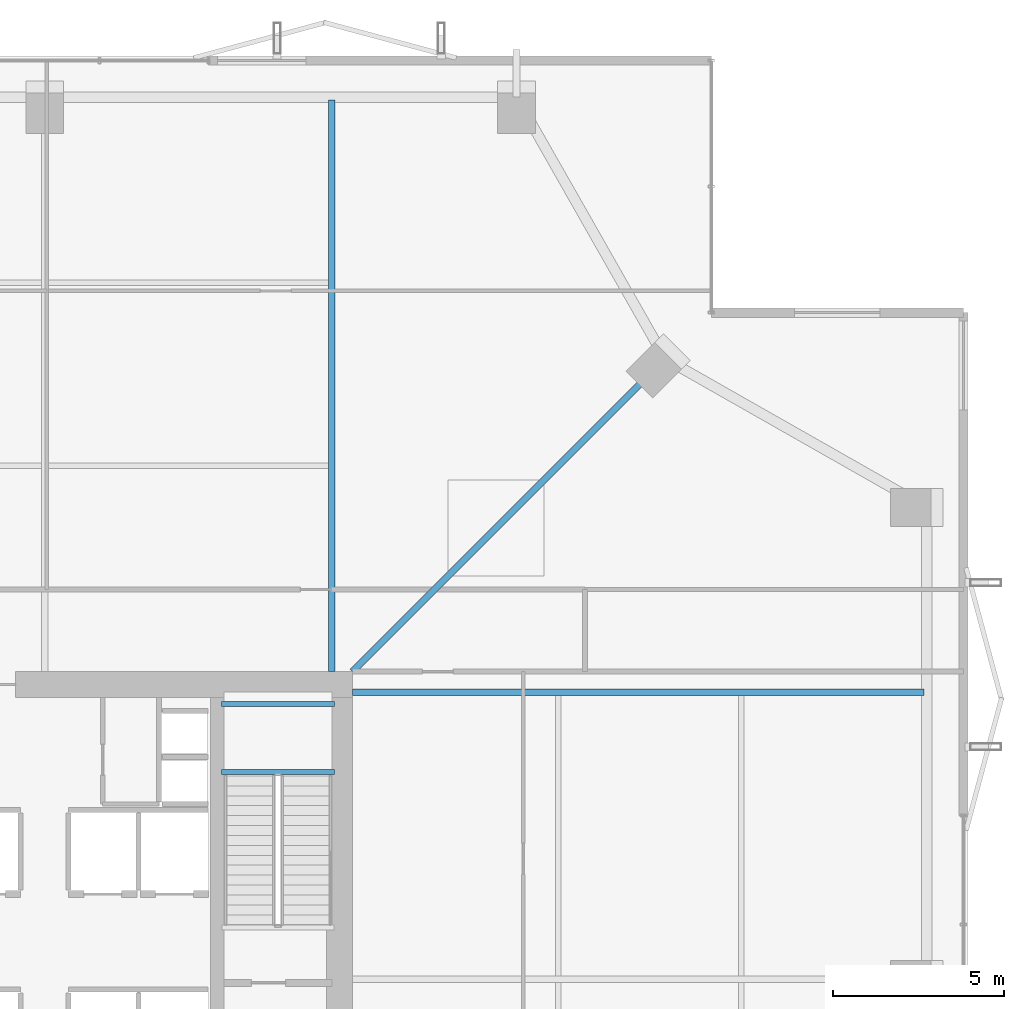
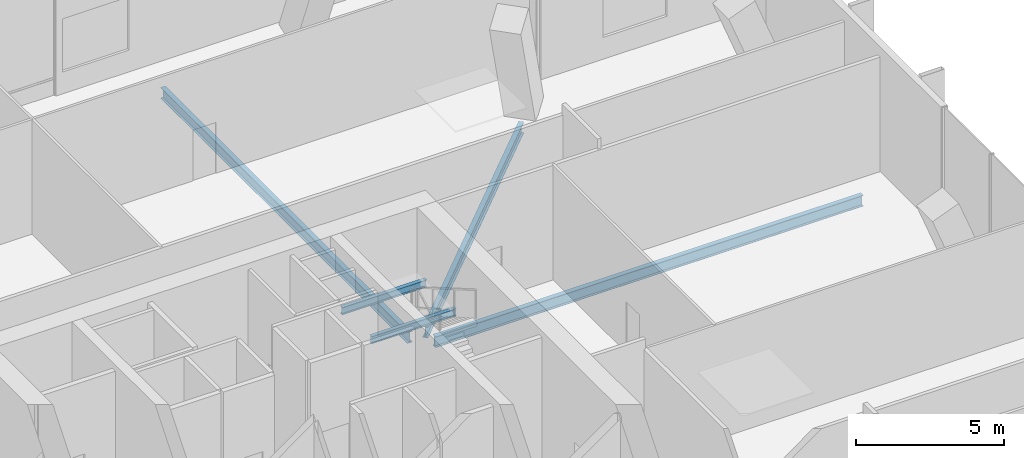
# One storey, part 23 of 33: 5 beams.
"""IFC4 building model written with IfcOpenShell, lengths in metres."""

from ifc_helpers import new_model, si_unit, direction, frame, origin, origin_2d, place, context, subcontext, project, spatial, i_section, extrude, material, material_profile, profile_set, type_object, element, save


model = new_model("IFC4")

# Units and contexts
model_context = context("Model", 3, precision=1e-05, world=origin(), true_north=direction((0.0, 1.0)))
body_context = subcontext(model_context, "Body", "Model", "MODEL_VIEW")
ifc_project = project(units=[si_unit("LENGTHUNIT", "METRE"), si_unit("AREAUNIT", "SQUARE_METRE"), si_unit("VOLUMEUNIT", "CUBIC_METRE"), si_unit("PLANEANGLEUNIT", "RADIAN"), si_unit("MASSUNIT", "GRAM", prefix="KILO")], contexts=[model_context])

# Site, building, storey
site_placement = place(None, origin())
site = spatial("IfcSite", under=ifc_project, at=site_placement, CompositionType="ELEMENT")
building_placement = place(site_placement, origin())
building = spatial("IfcBuilding", under=site, at=building_placement, Name="Belovzor Exchange Tower", CompositionType="ELEMENT")
storey_placement = place(building_placement, frame((0.0, 0.0, 241.199951171875)))
storey = spatial("IfcBuildingStorey", under=building, at=storey_placement, Name="L60", CompositionType="ELEMENT", Elevation=241.199951171875)

# Beams
ifc_material_1 = material(Name="Steel S355", Category="steel")
ifc_material_profile_1 = material_profile(ifc_material_1, i_section(OverallWidth=0.14990234375, OverallDepth=0.300048828125, WebThickness=0.007080078125, FlangeThickness=0.0107421875, at=origin_2d()))
ifc_profile_set_1 = profile_set([ifc_material_profile_1], Name="Steel S355")
beam_type_1 = type_object("IfcBeamType", Name="Secondary Trim Floor Joist IPE 300", PredefinedType="BEAM", material=ifc_profile_set_1)
for number, where, z_axis, x_axis, name in (
    (1, (37.280029296875, 34.8701171875, 2.35009765625), (-1.0, 0.0, 0.0), (0.0, -1.0, 0.0), "FJ-300 Secondary Trim Floor Joist IPE 300"),
    (2, (37.280029296875, 36.85009765625, 2.35009765625), (-1.0, 0.0, 0.0), (0.0, -1.0, 0.0), "FJ-300 Secondary Trim Floor Joist IPE 300"),
):
    element("IfcBeam", number, at=place(storey_placement, frame(where, z_axis=z_axis, x_axis=x_axis)), inside=storey, type_object=beam_type_1, Name=name, PredefinedType="BEAM", context=body_context, shape_type="SweptSolid", body=[
        extrude(i_section(OverallWidth=0.14990234375, OverallDepth=0.300048828125, WebThickness=0.007080078125, FlangeThickness=0.0107421875, at=origin_2d()), origin(), (0.0, 0.0, 1.0), 3.31005859375),
    ])
ifc_material_2 = material(Name="Steel S355", Category="steel")
ifc_material_profile_2 = material_profile(ifc_material_2, i_section(OverallWidth=0.18994140625, OverallDepth=0.449951171875, WebThickness=0.009521484375, FlangeThickness=0.0146484375, at=origin_2d()))
ifc_profile_set_2 = profile_set([ifc_material_profile_2], Name="Steel S355")
beam_type_2 = type_object("IfcBeamType", Name="Zone 2-4 Radial Composite Floor Beam IPE 450", PredefinedType="BEAM", material=ifc_profile_set_2)
for number, where, z_axis, x_axis, name in (
    (3, (37.199951171875, 37.800048828125, -0.474853515625), (0.0, 1.0, 0.0), (-1.0, 0.0, 0.0), "FB-450 Zone 2-4 Radial Composite Floor Beam IPE 450"),
    (4, (37.800048828125, 37.199951171875, -0.474853515625), (1.0, 0.0, 0.0), (0.0, 1.0, 0.0), "FB-450 Zone 2-4 Radial Composite Floor Beam IPE 450"),
):
    element("IfcBeam", number, at=place(storey_placement, frame(where, z_axis=z_axis, x_axis=x_axis)), inside=storey, type_object=beam_type_2, Name=name, PredefinedType="BEAM", context=body_context, shape_type="SweptSolid", body=[
        extrude(i_section(OverallWidth=0.18994140625, OverallDepth=0.449951171875, WebThickness=0.009521484375, FlangeThickness=0.0146484375, at=origin_2d()), origin(), (0.0, 0.0, 1.0), 16.724853515625),
    ])
beam_placement = place(storey_placement, frame((37.800048828125, 37.800048828125, -0.474853515625), z_axis=(0.707106781187, 0.707106781187, 0.0), x_axis=(-0.707106781187, 0.707106781187, 0.0)))
element("IfcBeam", 5, at=beam_placement, inside=storey, type_object=beam_type_2, Name="FB-450 Zone 2-4 Radial Composite Floor Beam IPE 450", PredefinedType="BEAM", context=body_context, shape_type="SweptSolid", body=[
    extrude(i_section(OverallWidth=0.18994140625, OverallDepth=0.449951171875, WebThickness=0.009521484375, FlangeThickness=0.0146484375, at=origin_2d()), origin(), (0.0, 0.0, 1.0), 12.551025390625),
])

save(model, "model.ifc")
